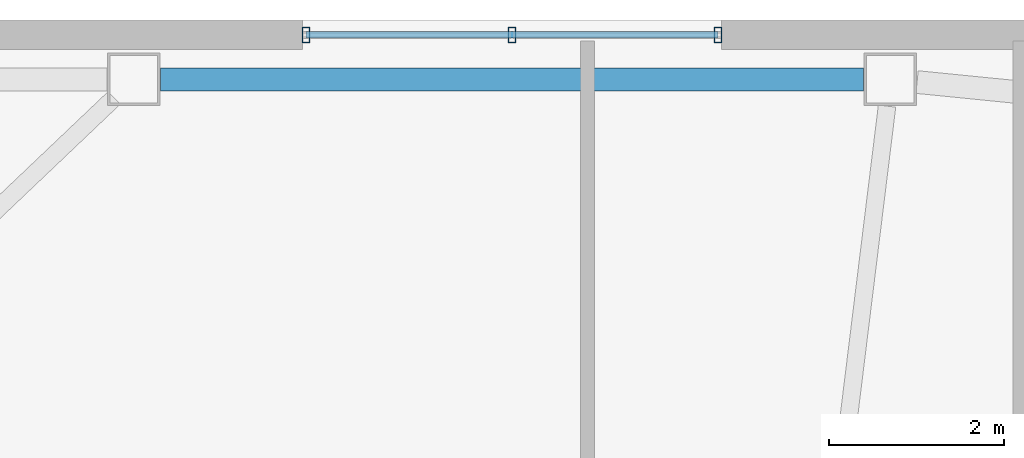
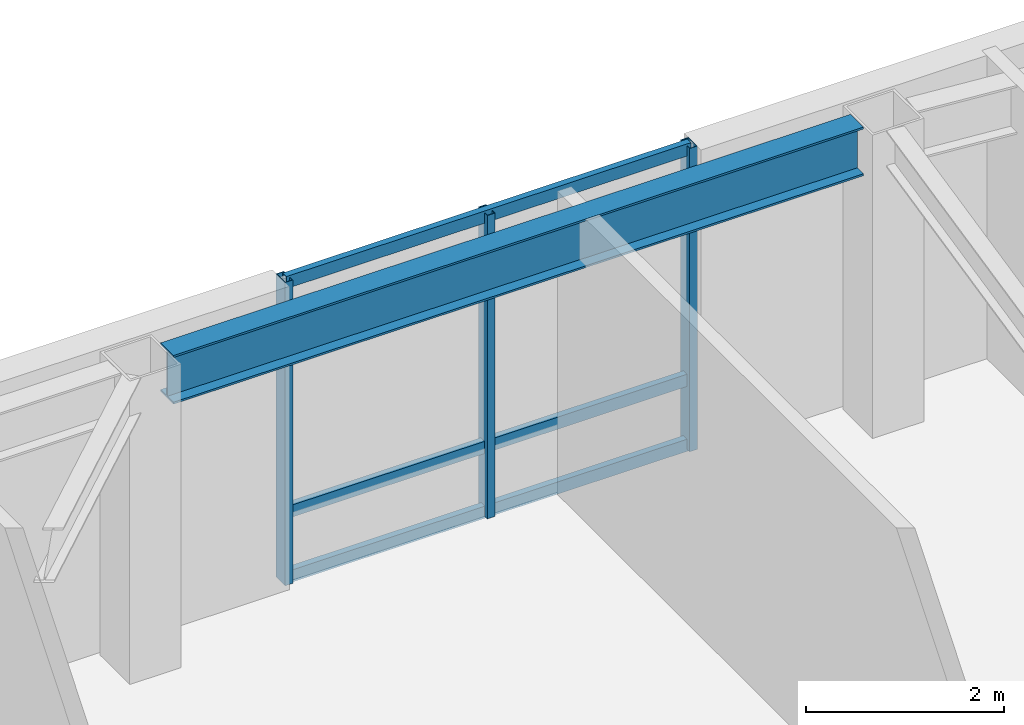
# One storey, part 6 of 18: 6 members, 1 beam, 1 element without a shape of its own.
"""IFC4 building model written with IfcOpenShell, lengths in metres."""

from ifc_helpers import new_model, si_unit, direction, frame, origin, origin_2d, place, context, subcontext, project, spatial, hollow_rectangle, i_section, extrude, material, layer, layer_set, material_profile, profile_set, type_object, element, aggregate, save


model = new_model("IFC4")

# Units and contexts
model_context = context("Model", 3, precision=1e-05, world=origin(), true_north=direction((0.0, 1.0)))
body_context = subcontext(model_context, "Body", "Model", "MODEL_VIEW")
ifc_project = project(units=[si_unit("LENGTHUNIT", "METRE"), si_unit("AREAUNIT", "SQUARE_METRE"), si_unit("VOLUMEUNIT", "CUBIC_METRE"), si_unit("PLANEANGLEUNIT", "RADIAN"), si_unit("MASSUNIT", "GRAM", prefix="KILO")], contexts=[model_context])

# Site, building, storey
site_placement = place(None, origin())
site = spatial("IfcSite", under=ifc_project, at=site_placement, CompositionType="ELEMENT")
building_placement = place(site_placement, origin())
building = spatial("IfcBuilding", under=site, at=building_placement, Name="Tavrogorsk Clinical Tower", CompositionType="ELEMENT")
storey_placement = place(building_placement, frame((0.0, 0.0, 196.199951171875)))
storey = spatial("IfcBuildingStorey", under=building, at=storey_placement, Name="L45", CompositionType="ELEMENT", Elevation=196.199951171875)

# Curtain wall, members
ifc_material_1 = material(Name="Anodised aluminium and triple IGU glazing", Category="aluminium")
ifc_layer = layer(ifc_material_1, 0.179931640625)
ifc_layer_set = layer_set([ifc_layer], Name="Anodised aluminium and triple IGU glazing")
curtain_wall_type = type_object("IfcCurtainWallType", Name="CW2_NorthSlot", PredefinedType="NOTDEFINED", material=ifc_layer_set)
curtain_wall_placement = place(storey_placement, origin())
curtain_wall = element("IfcCurtainWall", 1, at=curtain_wall_placement, inside=storey, type_object=curtain_wall_type, Name="L45 Curtain Wall CW-L45-N-SLOT-1", PredefinedType="NOTDEFINED")
ifc_material_2 = material(Name="Anodised aluminium alloy AW-6060", Category="aluminium")
ifc_material_profile_1 = material_profile(ifc_material_2, hollow_rectangle(XDim=0.090087890625, YDim=0.179931640625, WallThickness=0.00634765625, at=origin_2d()), Name="RHS-180x90x6.3")
ifc_profile_set_1 = profile_set([ifc_material_profile_1], Name="Anodised aluminium alloy AW-6060")
member_type_1 = type_object("IfcMemberType", Name="CwMullion_180x90", PredefinedType="MULLION", material=ifc_profile_set_1)
member_1_placement = place(storey_placement, frame((-3.90380859375, 26.929931640625, 0.0), z_axis=(0.0, 0.0, 1.0), x_axis=(-1.0, 0.0, 0.0)))
member_1 = element("IfcMember", 2, at=member_1_placement, type_object=member_type_1, Name="CW-L45-N-SLOT-1 Mullion 1", PredefinedType="MULLION", context=body_context, shape_type="SweptSolid", body=[
    extrude(hollow_rectangle(XDim=0.090087890625, YDim=0.179931640625, WallThickness=0.00634765625, at=origin_2d()), origin(), (0.0, 0.0, 1.0), 3.739990234375),
])
member_2_placement = place(storey_placement, frame((-6.262939453125, 26.929931640625, 0.0), z_axis=(0.0, 0.0, 1.0), x_axis=(-1.0, 0.0, 0.0)))
member_2 = element("IfcMember", 3, at=member_2_placement, type_object=member_type_1, Name="CW-L45-N-SLOT-1 Mullion 2", PredefinedType="MULLION", context=body_context, shape_type="SweptSolid", body=[
    extrude(hollow_rectangle(XDim=0.090087890625, YDim=0.179931640625, WallThickness=0.00634765625, at=origin_2d()), origin(), (0.0, 0.0, 1.0), 3.739990234375),
])
member_3_placement = place(storey_placement, frame((-8.621826171875, 26.929931640625, 0.0), z_axis=(0.0, 0.0, 1.0), x_axis=(-1.0, 0.0, 0.0)))
member_3 = element("IfcMember", 4, at=member_3_placement, type_object=member_type_1, Name="CW-L45-N-SLOT-1 Mullion 3", PredefinedType="MULLION", context=body_context, shape_type="SweptSolid", body=[
    extrude(hollow_rectangle(XDim=0.090087890625, YDim=0.179931640625, WallThickness=0.00634765625, at=origin_2d()), origin(), (0.0, 0.0, 1.0), 3.739990234375),
])
ifc_material_3 = material(Name="Anodised aluminium alloy AW-6060", Category="aluminium")
ifc_material_profile_2 = material_profile(ifc_material_3, hollow_rectangle(XDim=0.074951171875, YDim=0.14990234375, WallThickness=0.0048828125, at=origin_2d()), Name="RHS-150x75x5")
ifc_profile_set_2 = profile_set([ifc_material_profile_2], Name="Anodised aluminium alloy AW-6060")
member_type_2 = type_object("IfcMemberType", Name="CwTransom_150x75", PredefinedType="USERDEFINED", material=ifc_profile_set_2)
member_4_placement = place(storey_placement, frame((-3.90380859375, 26.929931640625, 0.050048828125), z_axis=(-1.0, 0.0, 0.0), x_axis=(0.0, -1.0, 0.0)))
member_4 = element("IfcMember", 5, at=member_4_placement, type_object=member_type_2, Name="CW-L45-N-SLOT-1 Transom 1", ObjectType="TRANSOM", PredefinedType="USERDEFINED", context=body_context, shape_type="SweptSolid", body=[
    extrude(hollow_rectangle(XDim=0.074951171875, YDim=0.14990234375, WallThickness=0.0048828125, at=origin_2d()), origin(), (0.0, 0.0, 1.0), 4.718017578125),
])
member_5_placement = place(storey_placement, frame((-3.90380859375, 26.929931640625, 0.85009765625), z_axis=(-1.0, 0.0, 0.0), x_axis=(0.0, -1.0, 0.0)))
member_5 = element("IfcMember", 6, at=member_5_placement, type_object=member_type_2, Name="CW-L45-N-SLOT-1 Transom 2", ObjectType="TRANSOM", PredefinedType="USERDEFINED", context=body_context, shape_type="SweptSolid", body=[
    extrude(hollow_rectangle(XDim=0.074951171875, YDim=0.14990234375, WallThickness=0.0048828125, at=origin_2d()), origin(), (0.0, 0.0, 1.0), 4.718017578125),
])
member_6_placement = place(storey_placement, frame((-3.90380859375, 26.929931640625, 3.68994140625), z_axis=(-1.0, 0.0, 0.0), x_axis=(0.0, -1.0, 0.0)))
member_6 = element("IfcMember", 7, at=member_6_placement, type_object=member_type_2, Name="CW-L45-N-SLOT-1 Transom 3", ObjectType="TRANSOM", PredefinedType="USERDEFINED", context=body_context, shape_type="SweptSolid", body=[
    extrude(hollow_rectangle(XDim=0.074951171875, YDim=0.14990234375, WallThickness=0.0048828125, at=origin_2d()), origin(), (0.0, 0.0, 1.0), 4.718017578125),
])
aggregate(curtain_wall, [member_1, member_2, member_3, member_4, member_5, member_6])

# Beam
ifc_material_4 = material(Name="Structural steel S390", Category="steel")
ifc_material_profile_3 = material_profile(ifc_material_4, i_section(OverallWidth=0.260009765625, OverallDepth=0.60009765625, WebThickness=0.014892578125, FlangeThickness=0.02392578125, at=origin_2d()), Name="B-600x260x15x24")
ifc_profile_set_3 = profile_set([ifc_material_profile_3], Name="Structural steel S390")
beam_type = type_object("IfcBeamType", Name="SpandrelBeam_B600", PredefinedType="SPANDREL", material=ifc_profile_set_3)
beam_placement = place(storey_placement, frame((-2.239501953125, 26.419921875, 3.43994140625), z_axis=(-1.0, 0.0, 0.0), x_axis=(0.0, -1.0, 0.0)))
element("IfcBeam", 8, at=beam_placement, inside=storey, type_object=beam_type, Name="L45 Perimeter Spandrel N5-N6", PredefinedType="SPANDREL", context=body_context, shape_type="SweptSolid", body=[
    extrude(i_section(OverallWidth=0.260009765625, OverallDepth=0.60009765625, WebThickness=0.014892578125, FlangeThickness=0.02392578125, at=origin_2d()), origin(), (0.0, 0.0, 1.0), 8.046875),
])

save(model, "model.ifc")
